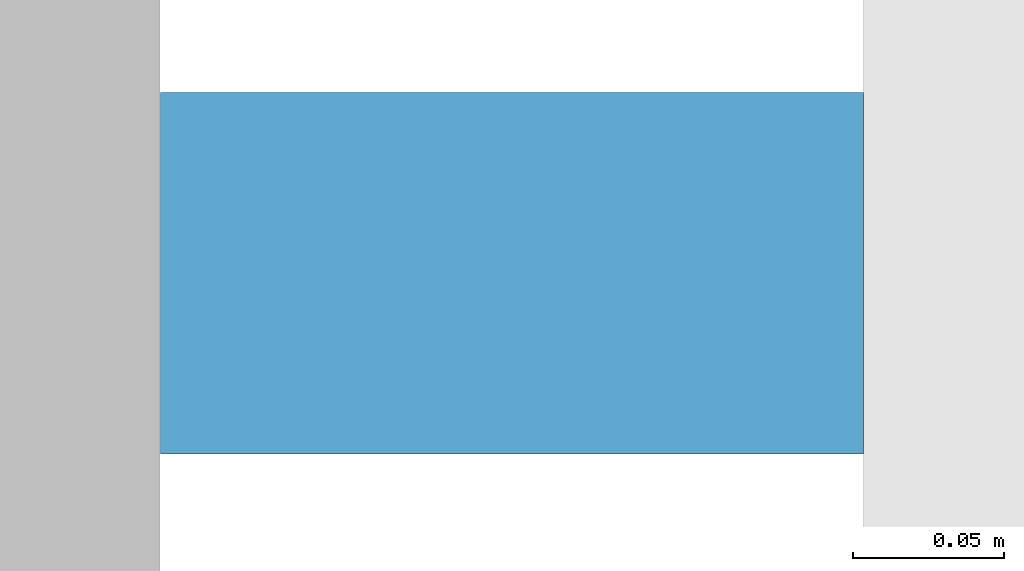
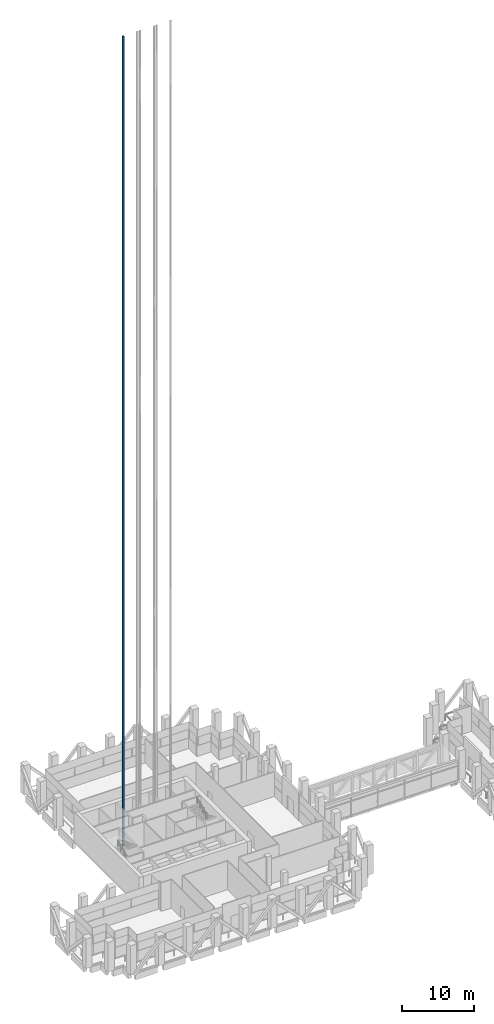
# One storey, part 38 of 48: 1 discrete accessory.
"""IFC4 building model written with IfcOpenShell, lengths in metres."""

from ifc_helpers import new_model, si_unit, direction, frame, origin, origin_2d, place, context, subcontext, project, spatial, rectangle, extrude, element, save


model = new_model("IFC4")

# Units and contexts
model_context = context("Model", 3, precision=1e-05, world=origin(), true_north=direction((0.0, 1.0)))
body_context = subcontext(model_context, "Body", "Model", "MODEL_VIEW")
ifc_project = project(units=[si_unit("LENGTHUNIT", "METRE"), si_unit("AREAUNIT", "SQUARE_METRE"), si_unit("VOLUMEUNIT", "CUBIC_METRE"), si_unit("PLANEANGLEUNIT", "RADIAN"), si_unit("MASSUNIT", "GRAM", prefix="KILO")], contexts=[model_context])

# Site, building, storey
site_placement = place(None, origin())
site = spatial("IfcSite", under=ifc_project, at=site_placement, CompositionType="ELEMENT")
building_placement = place(site_placement, origin())
building = spatial("IfcBuilding", under=site, at=building_placement, Name="Altepetl Exchange Towers", CompositionType="ELEMENT")
storey_placement = place(building_placement, frame((0.0, 0.0, 138.800048828125)))
storey = spatial("IfcBuildingStorey", under=building, at=storey_placement, Name="L34 Refuge and sky lobby", CompositionType="ELEMENT", Elevation=138.800048828125)

# Discrete accessory
discrete_accessory_placement = place(storey_placement, frame((47.050048828125, 56.199951171875, -1.60009765625)))
element("IfcDiscreteAccessory", 1, at=discrete_accessory_placement, inside=storey, Name="Guide rail P5", ObjectType="GUIDE RAIL", PredefinedType="USERDEFINED", context=body_context, shape_type="SweptSolid", body=[
    extrude(rectangle(XDim=0.2333984375, YDim=0.1201171875, at=origin_2d()), origin(), (0.0, 0.0, 1.0), 136.85009765625),
])

save(model, "model.ifc")
